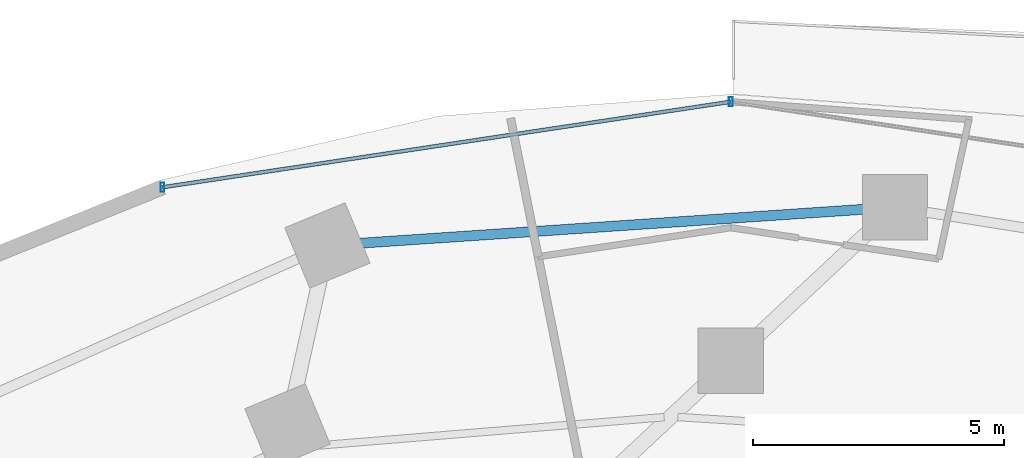
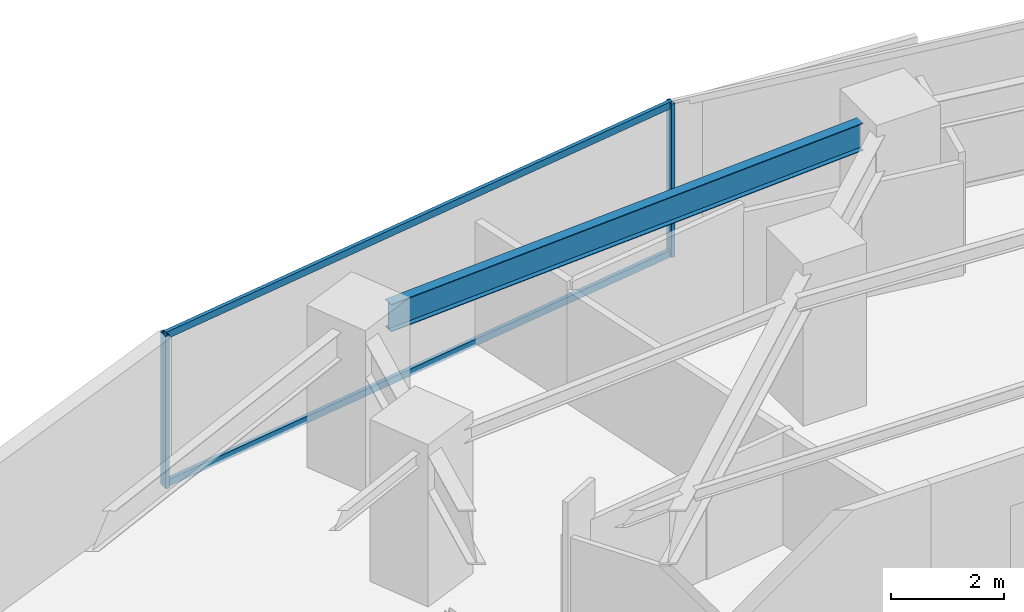
# One storey, part 21 of 33: 4 members, 1 beam, 1 element without a shape of its own.
"""IFC4 building model written with IfcOpenShell, lengths in metres."""

from ifc_helpers import new_model, si_unit, direction, frame, origin, origin_2d, place, context, subcontext, project, spatial, hollow_rectangle, i_section, extrude, material, material_profile, profile_set, type_object, element, aggregate, save


model = new_model("IFC4")

# Units and contexts
model_context = context("Model", 3, precision=1e-05, world=origin(), true_north=direction((0.0, 1.0)))
body_context = subcontext(model_context, "Body", "Model", "MODEL_VIEW")
ifc_project = project(units=[si_unit("LENGTHUNIT", "METRE"), si_unit("AREAUNIT", "SQUARE_METRE"), si_unit("VOLUMEUNIT", "CUBIC_METRE"), si_unit("PLANEANGLEUNIT", "RADIAN"), si_unit("MASSUNIT", "GRAM", prefix="KILO")], contexts=[model_context])

# Site, building, storey
site_placement = place(None, origin())
site = spatial("IfcSite", under=ifc_project, at=site_placement, CompositionType="ELEMENT")
building_placement = place(site_placement, origin())
building = spatial("IfcBuilding", under=site, at=building_placement, Name="Vorneva Point Tower", CompositionType="ELEMENT")
storey_placement = place(building_placement, frame((0.0, 0.0, 38.0)))
storey = spatial("IfcBuildingStorey", under=building, at=storey_placement, Name="L09", CompositionType="ELEMENT", Elevation=38.0)

# Beam
ifc_material_1 = material(Name="Steel S355", Category="steel")
ifc_material_profile_1 = material_profile(ifc_material_1, i_section(OverallWidth=0.198974609375, OverallDepth=0.595947265625, WebThickness=0.010009765625, FlangeThickness=0.014892578125, at=origin_2d()), Name="60B1")
ifc_profile_set_1 = profile_set([ifc_material_profile_1], Name="Steel S355")
beam_type = type_object("IfcBeamType", Name="BM-SPN-60B1", PredefinedType="SPANDREL", material=ifc_profile_set_1)
beam_placement = place(storey_placement, frame((40.631591796875, 46.209716796875, 2.94189453125), z_axis=(-0.997736943545, -0.067238318585, 0.0), x_axis=(0.067238318585, -0.997736943545, 0.0)))
element("IfcBeam", 1, at=beam_placement, inside=storey, type_object=beam_type, Name="L09 Perimeter Spandrel Ring Beam 05", PredefinedType="SPANDREL", context=body_context, shape_type="SweptSolid", body=[
    extrude(i_section(OverallWidth=0.198974609375, OverallDepth=0.595947265625, WebThickness=0.010009765625, FlangeThickness=0.014892578125, at=origin_2d()), origin(), (0.0, 0.0, 1.0), 10.046875),
])

# Curtain wall, members
ifc_material_2 = material(Name="Pale anodised aluminium", Category="aluminium")
curtain_wall_type = type_object("IfcCurtainWallType", Name="CW-HTL-SYS", PredefinedType="NOTDEFINED", material=ifc_material_2)
curtain_wall_placement = place(storey_placement, origin())
curtain_wall = element("IfcCurtainWall", 2, at=curtain_wall_placement, inside=storey, type_object=curtain_wall_type, Name="L09 Unitised Curtain Wall CW-L09-R02", PredefinedType="NOTDEFINED")
ifc_material_profile_2 = material_profile(ifc_material_2, hollow_rectangle(XDim=0.074951171875, YDim=0.179931640625, WallThickness=0.00390625, at=origin_2d()), Name="AL-MUL 180x75x4")
ifc_profile_set_2 = profile_set([ifc_material_profile_2], Name="Pale anodised aluminium")
member_type_1 = type_object("IfcMemberType", Name="CW-MUL-180", PredefinedType="MULLION", material=ifc_profile_set_2)
member_1_placement = place(storey_placement, frame((38.0, 48.35009765625, -0.0400390625), z_axis=(0.0, 0.0, 1.0), x_axis=(1.0, 0.0, 0.0)))
member_1 = element("IfcMember", 3, at=member_1_placement, type_object=member_type_1, Name="CW-L09-R02 Mullion 03", PredefinedType="MULLION", context=body_context, shape_type="SweptSolid", body=[
    extrude(hollow_rectangle(XDim=0.074951171875, YDim=0.179931640625, WallThickness=0.00390625, at=origin_2d()), origin(), (0.0, 0.0, 1.0), 3.31005859375),
])
member_2_placement = place(storey_placement, frame((26.691650390625, 46.648681640625, -0.0400390625), z_axis=(0.0, 0.0, 1.0), x_axis=(1.0, 0.0, 0.0)))
member_2 = element("IfcMember", 4, at=member_2_placement, type_object=member_type_1, Name="CW-L09-R02 Mullion 04", PredefinedType="MULLION", context=body_context, shape_type="SweptSolid", body=[
    extrude(hollow_rectangle(XDim=0.074951171875, YDim=0.179931640625, WallThickness=0.00390625, at=origin_2d()), origin(), (0.0, 0.0, 1.0), 3.31005859375),
])
ifc_material_profile_3 = material_profile(ifc_material_2, hollow_rectangle(XDim=0.074951171875, YDim=0.14990234375, WallThickness=0.00390625, at=origin_2d()), Name="AL-TRN 150x75x4")
ifc_profile_set_3 = profile_set([ifc_material_profile_3], Name="Pale anodised aluminium")
member_type_2 = type_object("IfcMemberType", Name="CW-TRN-150", PredefinedType="USERDEFINED", material=ifc_profile_set_3)
member_3_placement = place(storey_placement, frame((38.0, 48.35009765625, 0.02001953125), z_axis=(-0.988870014575, -0.148782036131, 0.0), x_axis=(0.148782036131, -0.988870014575, 0.0)))
member_3 = element("IfcMember", 5, at=member_3_placement, type_object=member_type_2, Name="CW-L09-R02 Transom 03.1", ObjectType="TRANSOM", PredefinedType="USERDEFINED", context=body_context, shape_type="SweptSolid", body=[
    extrude(hollow_rectangle(XDim=0.074951171875, YDim=0.14990234375, WallThickness=0.00390625, at=origin_2d()), origin(), (0.0, 0.0, 1.0), 11.435546875),
])
member_4_placement = place(storey_placement, frame((38.0, 48.35009765625, 3.219970703125), z_axis=(-0.988870014575, -0.148782036131, 0.0), x_axis=(0.148782036131, -0.988870014575, 0.0)))
member_4 = element("IfcMember", 6, at=member_4_placement, type_object=member_type_2, Name="CW-L09-R02 Transom 03.2", ObjectType="TRANSOM", PredefinedType="USERDEFINED", context=body_context, shape_type="SweptSolid", body=[
    extrude(hollow_rectangle(XDim=0.074951171875, YDim=0.14990234375, WallThickness=0.00390625, at=origin_2d()), origin(), (0.0, 0.0, 1.0), 11.435546875),
])
aggregate(curtain_wall, [member_1, member_2, member_3, member_4])

save(model, "model.ifc")
